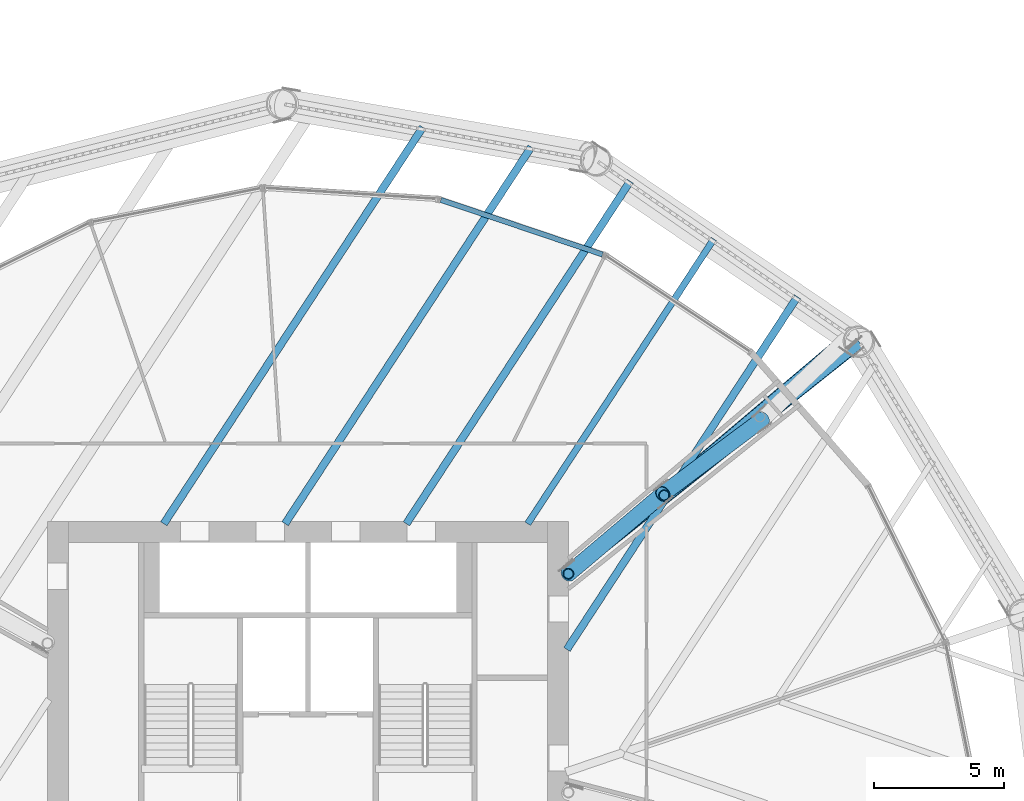
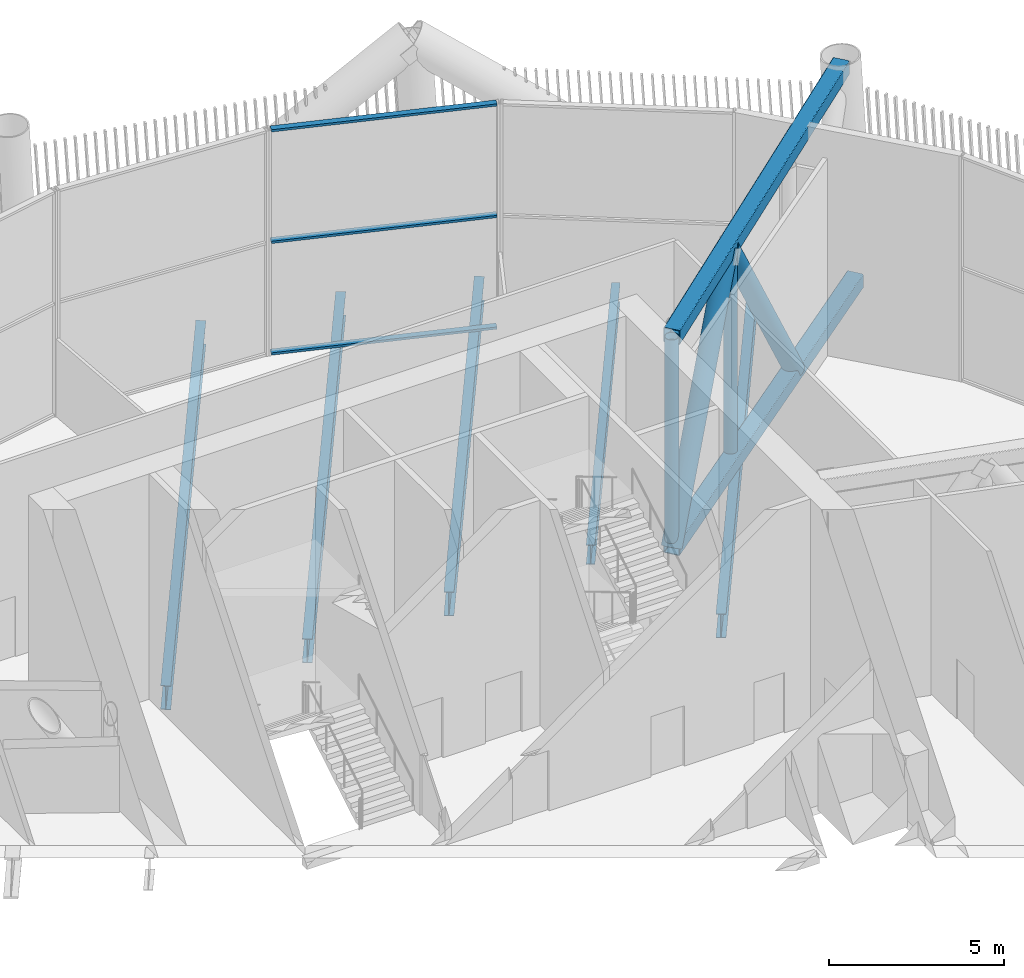
# One storey, part 32 of 63: 9 members, 5 beams, 1 element without a shape of its own.
"""IFC4 building model written with IfcOpenShell, lengths in metres."""

from ifc_helpers import new_model, si_unit, direction, frame, origin, origin_2d, place, context, subcontext, project, spatial, hollow_rectangle, hollow_circle, i_section, extrude, material, layer, layer_set, material_profile, profile_set, type_object, element, aggregate, save


model = new_model("IFC4")

# Units and contexts
model_context = context("Model", 3, precision=1e-05, world=origin(), true_north=direction((0.0, 1.0)))
body_context = subcontext(model_context, "Body", "Model", "MODEL_VIEW")
ifc_project = project(units=[si_unit("LENGTHUNIT", "METRE"), si_unit("AREAUNIT", "SQUARE_METRE"), si_unit("VOLUMEUNIT", "CUBIC_METRE"), si_unit("PLANEANGLEUNIT", "RADIAN"), si_unit("MASSUNIT", "GRAM", prefix="KILO")], contexts=[model_context])

# Site, building, storey
site_placement = place(None, origin())
site = spatial("IfcSite", under=ifc_project, at=site_placement, CompositionType="ELEMENT")
building_placement = place(site_placement, origin())
building = spatial("IfcBuilding", under=site, at=building_placement, Name="Tarsis Ring Headquarters", CompositionType="ELEMENT")
storey_placement = place(building_placement, frame((0.0, 0.0, 139.60009765625)))
storey = spatial("IfcBuildingStorey", under=building, at=storey_placement, Name="L32", CompositionType="ELEMENT", Elevation=139.60009765625)

# Curtain wall, members
ifc_material_1 = material(Name="Aluminium curtain wall", Category="aluminium")
ifc_layer = layer(ifc_material_1, 0.25)
ifc_layer_set = layer_set([ifc_layer], Name="Curtain wall sky lobby")
curtain_wall_type = type_object("IfcCurtainWallType", Name="Curtain wall sky lobby", PredefinedType="NOTDEFINED", material=ifc_layer_set)
curtain_wall_placement = place(storey_placement, origin())
curtain_wall = element("IfcCurtainWall", 1, at=curtain_wall_placement, inside=storey, type_object=curtain_wall_type, Name="Curtain wall L32-27", PredefinedType="NOTDEFINED")
ifc_material_2 = material(Name="Aluminium transom", Category="aluminium")
ifc_material_profile_1 = material_profile(ifc_material_2, hollow_rectangle(XDim=0.199951171875, YDim=0.080078125, WallThickness=0.0048828125, at=origin_2d()), Name="RHS 200x80x5")
ifc_profile_set_1 = profile_set([ifc_material_profile_1], Name="Aluminium transom")
member_type_1 = type_object("IfcMemberType", Name="Curtain wall transom sky lobby RHS 200x80x5", PredefinedType="USERDEFINED", material=ifc_profile_set_1)
member_1_placement = place(storey_placement, frame((11.31591796875, 23.25439453125, 0.039794921875), z_axis=(-0.947433217144, 0.319953588902, 0.0), x_axis=(-0.319953588902, -0.947433217144, 0.0)))
member_1 = element("IfcMember", 2, at=member_1_placement, type_object=member_type_1, Name="CW-S transom 1.1", ObjectType="TRANSOM", PredefinedType="USERDEFINED", context=body_context, shape_type="SweptSolid", body=[
    extrude(hollow_rectangle(XDim=0.199951171875, YDim=0.080078125, WallThickness=0.0048828125, at=origin_2d()), origin(), (0.0, 0.0, 1.0), 6.5615234375),
])
member_2_placement = place(storey_placement, frame((11.31591796875, 23.25439453125, 3.919921875), z_axis=(-0.947433217144, 0.319953588902, 0.0), x_axis=(-0.319953588902, -0.947433217144, 0.0)))
member_2 = element("IfcMember", 3, at=member_2_placement, type_object=member_type_1, Name="CW-S transom 1.2", ObjectType="TRANSOM", PredefinedType="USERDEFINED", context=body_context, shape_type="SweptSolid", body=[
    extrude(hollow_rectangle(XDim=0.199951171875, YDim=0.080078125, WallThickness=0.0048828125, at=origin_2d()), origin(), (0.0, 0.0, 1.0), 6.5615234375),
])
member_3_placement = place(storey_placement, frame((11.31591796875, 23.25439453125, 7.7998046875), z_axis=(-0.947433217144, 0.319953588902, 0.0), x_axis=(-0.319953588902, -0.947433217144, 0.0)))
member_3 = element("IfcMember", 4, at=member_3_placement, type_object=member_type_1, Name="CW-S transom 1.3", ObjectType="TRANSOM", PredefinedType="USERDEFINED", context=body_context, shape_type="SweptSolid", body=[
    extrude(hollow_rectangle(XDim=0.199951171875, YDim=0.080078125, WallThickness=0.0048828125, at=origin_2d()), origin(), (0.0, 0.0, 1.0), 6.5615234375),
])
aggregate(curtain_wall, [member_1, member_2, member_3])

# Beams
ifc_material_3 = material(Name="Structural steel S355", Category="steel")
ifc_material_profile_2 = material_profile(ifc_material_3, i_section(OverallWidth=0.2529296875, OverallDepth=0.67822265625, WebThickness=0.01171875, FlangeThickness=0.016357421875, at=origin_2d()), Name="W27x84")
ifc_profile_set_2 = profile_set([ifc_material_profile_2], Name="Structural steel S355")
beam_type_1 = type_object("IfcBeamType", Name="FB Floor beam W27x84", PredefinedType="JOIST", material=ifc_profile_set_2)
beam_1_placement = place(storey_placement, frame((15.58349609375, 23.850341796875, -0.63916015625), z_axis=(-0.54698543891, -0.837142120324, 0.0), x_axis=(0.837142120324, -0.54698543891, 0.0)))
element("IfcBeam", 5, at=beam_1_placement, inside=storey, type_object=beam_type_1, Name="Floor beam FB5", PredefinedType="JOIST", context=body_context, shape_type="SweptSolid", body=[
    extrude(i_section(OverallWidth=0.2529296875, OverallDepth=0.67822265625, WebThickness=0.01171875, FlangeThickness=0.016357421875, at=origin_2d()), origin(), (0.0, 0.0, 1.0), 13.061279296875),
])
ifc_material_profile_3 = material_profile(ifc_material_3, i_section(OverallWidth=0.2919921875, OverallDepth=0.835693359375, WebThickness=0.013916015625, FlangeThickness=0.018798828125, at=origin_2d()), Name="W33x118")
ifc_profile_set_3 = profile_set([ifc_material_profile_3], Name="Structural steel S355")
beam_type_2 = type_object("IfcBeamType", Name="FB Floor beam W33x118", PredefinedType="JOIST", material=ifc_profile_set_3)
beam_2_placement = place(storey_placement, frame((18.79296875, 21.632568359375, -0.718017578125), z_axis=(-0.546971996259, -0.837150903546, 0.0), x_axis=(0.837150903546, -0.546971996259, 0.0)))
element("IfcBeam", 6, at=beam_2_placement, inside=storey, type_object=beam_type_2, Name="Floor beam FB7", PredefinedType="JOIST", context=body_context, shape_type="SweptSolid", body=[
    extrude(i_section(OverallWidth=0.2919921875, OverallDepth=0.835693359375, WebThickness=0.013916015625, FlangeThickness=0.018798828125, at=origin_2d()), origin(), (0.0, 0.0, 1.0), 16.17578125),
])
beam_3_placement = place(storey_placement, frame((12.3740234375, 26.068359375, -0.718017578125), z_axis=(-0.546984306005, -0.837142860559, 0.0), x_axis=(0.837142860559, -0.546984306005, 0.0)))
element("IfcBeam", 7, at=beam_3_placement, inside=storey, type_object=beam_type_2, Name="Floor beam FB7", PredefinedType="JOIST", context=body_context, shape_type="SweptSolid", body=[
    extrude(i_section(OverallWidth=0.2919921875, OverallDepth=0.835693359375, WebThickness=0.013916015625, FlangeThickness=0.018798828125, at=origin_2d()), origin(), (0.0, 0.0, 1.0), 15.710693359375),
])
beam_4_placement = place(storey_placement, frame((8.572998046875, 27.380859375, -0.718017578125), z_axis=(-0.546987798263, -0.837140578727, 0.0), x_axis=(0.837140578727, -0.546987798263, 0.0)))
element("IfcBeam", 8, at=beam_4_placement, inside=storey, type_object=beam_type_2, Name="Floor beam FB7", PredefinedType="JOIST", context=body_context, shape_type="SweptSolid", body=[
    extrude(i_section(OverallWidth=0.2919921875, OverallDepth=0.835693359375, WebThickness=0.013916015625, FlangeThickness=0.018798828125, at=origin_2d()), origin(), (0.0, 0.0, 1.0), 17.278564453125),
])
beam_5_placement = place(storey_placement, frame((4.408935546875, 28.137939453125, -0.718017578125), z_axis=(-0.546976563636, -0.837147919326, 0.0), x_axis=(0.837147919326, -0.546976563636, 0.0)))
element("IfcBeam", 9, at=beam_5_placement, inside=storey, type_object=beam_type_2, Name="Floor beam FB7", PredefinedType="JOIST", context=body_context, shape_type="SweptSolid", body=[
    extrude(i_section(OverallWidth=0.2919921875, OverallDepth=0.835693359375, WebThickness=0.013916015625, FlangeThickness=0.018798828125, at=origin_2d()), origin(), (0.0, 0.0, 1.0), 18.182861328125),
])

# Members
ifc_material_profile_4 = material_profile(ifc_material_3, hollow_rectangle(XDim=0.508056640625, YDim=0.508056640625, WallThickness=0.025390625, InnerFilletRadius=0.025390625, OuterFilletRadius=0.05078125, at=origin_2d()), Name="HSS 508x508x25")
ifc_profile_set_4 = profile_set([ifc_material_profile_4], Name="Structural steel S355")
member_type_2 = type_object("IfcMemberType", Name="OC Outrigger chord HSS 508x508x25", PredefinedType="CHORD", material=ifc_profile_set_4)
member_4_placement = place(storey_placement, frame((10.0, 10.994140625, 0.25390625), z_axis=(0.782311153781, 0.622887837953, 0.0), x_axis=(-0.622887837953, 0.782311153781, 0.0)))
element("IfcMember", 10, at=member_4_placement, inside=storey, type_object=member_type_2, Name="Outrigger chord OC1", PredefinedType="CHORD", context=body_context, shape_type="SweptSolid", body=[
    extrude(hollow_rectangle(XDim=0.508056640625, YDim=0.508056640625, WallThickness=0.025390625, InnerFilletRadius=0.025390625, OuterFilletRadius=0.05078125, at=origin_2d()), origin(), (0.0, 0.0, 1.0), 14.2802734375),
])
member_5_placement = place(storey_placement, frame((10.0, 10.994140625, 7.5859375), z_axis=(0.76377478975, 0.645482819711, 0.0), x_axis=(-0.645482819711, 0.76377478975, 0.0)))
element("IfcMember", 11, at=member_5_placement, inside=storey, type_object=member_type_2, Name="Outrigger chord OC1", PredefinedType="CHORD", context=body_context, shape_type="SweptSolid", body=[
    extrude(hollow_rectangle(XDim=0.508056640625, YDim=0.508056640625, WallThickness=0.025390625, InnerFilletRadius=0.025390625, OuterFilletRadius=0.05078125, at=origin_2d()), origin(), (0.0, 0.0, 1.0), 14.2490234375),
])
ifc_material_profile_5 = material_profile(ifc_material_3, hollow_circle(Radius=0.3046875, WallThickness=0.02490234375, at=origin_2d()), Name="CHS 610x25")
ifc_profile_set_5 = profile_set([ifc_material_profile_5], Name="Structural steel S355")
member_type_3 = type_object("IfcMemberType", Name="OD Outrigger diagonal CHS 610x25", PredefinedType="BRACE", material=ifc_profile_set_5)
member_6_placement = place(storey_placement, frame((10.0, 10.994140625, 0.25390625), z_axis=(0.415254483337, 0.350949983293, 0.839284113573), x_axis=(-0.645492814599, 0.763766342739, 0.0)))
element("IfcMember", 12, at=member_6_placement, inside=storey, type_object=member_type_3, Name="Outrigger diagonal OD1", PredefinedType="BRACE", context=body_context, shape_type="SweptSolid", body=[
    extrude(hollow_circle(Radius=0.3046875, WallThickness=0.02490234375, at=origin_2d()), origin(), (0.0, 0.0, 1.0), 8.736083984375),
])
member_7_placement = place(storey_placement, frame((13.627685546875, 14.06005859375, 7.5859375), z_axis=(0.436602967729, 0.327333636763, -0.837991968227), x_axis=(-0.599860904609, 0.800104302652, 0.0)))
element("IfcMember", 13, at=member_7_placement, inside=storey, type_object=member_type_3, Name="Outrigger diagonal OD1", PredefinedType="BRACE", context=body_context, shape_type="SweptSolid", body=[
    extrude(hollow_circle(Radius=0.3046875, WallThickness=0.02490234375, at=origin_2d()), origin(), (0.0, 0.0, 1.0), 8.74951171875),
])
ifc_material_profile_6 = material_profile(ifc_material_3, hollow_circle(Radius=0.203125, WallThickness=0.01611328125, at=origin_2d()), Name="CHS 406x16")
ifc_profile_set_6 = profile_set([ifc_material_profile_6], Name="Structural steel S355")
member_type_4 = type_object("IfcMemberType", Name="OV Outrigger post CHS 406x16", PredefinedType="STRUT", material=ifc_profile_set_6)
member_8_placement = place(storey_placement, frame((10.0, 10.994140625, 0.5078125), z_axis=(0.0, 0.0, 1.0), x_axis=(1.0, 0.0, 0.0)))
element("IfcMember", 14, at=member_8_placement, inside=storey, type_object=member_type_4, Name="Outrigger post OV1", PredefinedType="STRUT", context=body_context, shape_type="SweptSolid", body=[
    extrude(hollow_circle(Radius=0.203125, WallThickness=0.01611328125, at=origin_2d()), origin(), (0.0, 0.0, 1.0), 7.078125),
])
member_9_placement = place(storey_placement, frame((13.67578125, 14.009765625, 0.5078125), z_axis=(0.0, 0.0, 1.0), x_axis=(1.0, 0.0, 0.0)))
element("IfcMember", 15, at=member_9_placement, inside=storey, type_object=member_type_4, Name="Outrigger post OV1", PredefinedType="STRUT", context=body_context, shape_type="SweptSolid", body=[
    extrude(hollow_circle(Radius=0.203125, WallThickness=0.01611328125, at=origin_2d()), origin(), (0.0, 0.0, 1.0), 6.823974609375),
])

save(model, "model.ifc")
